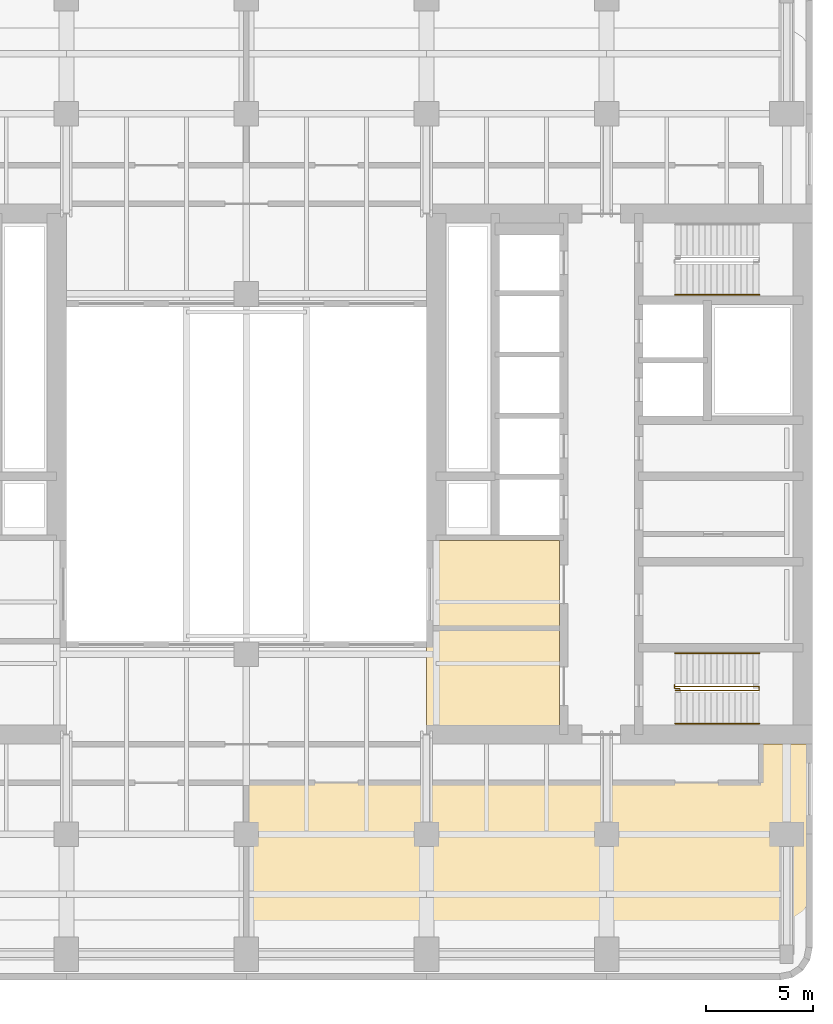
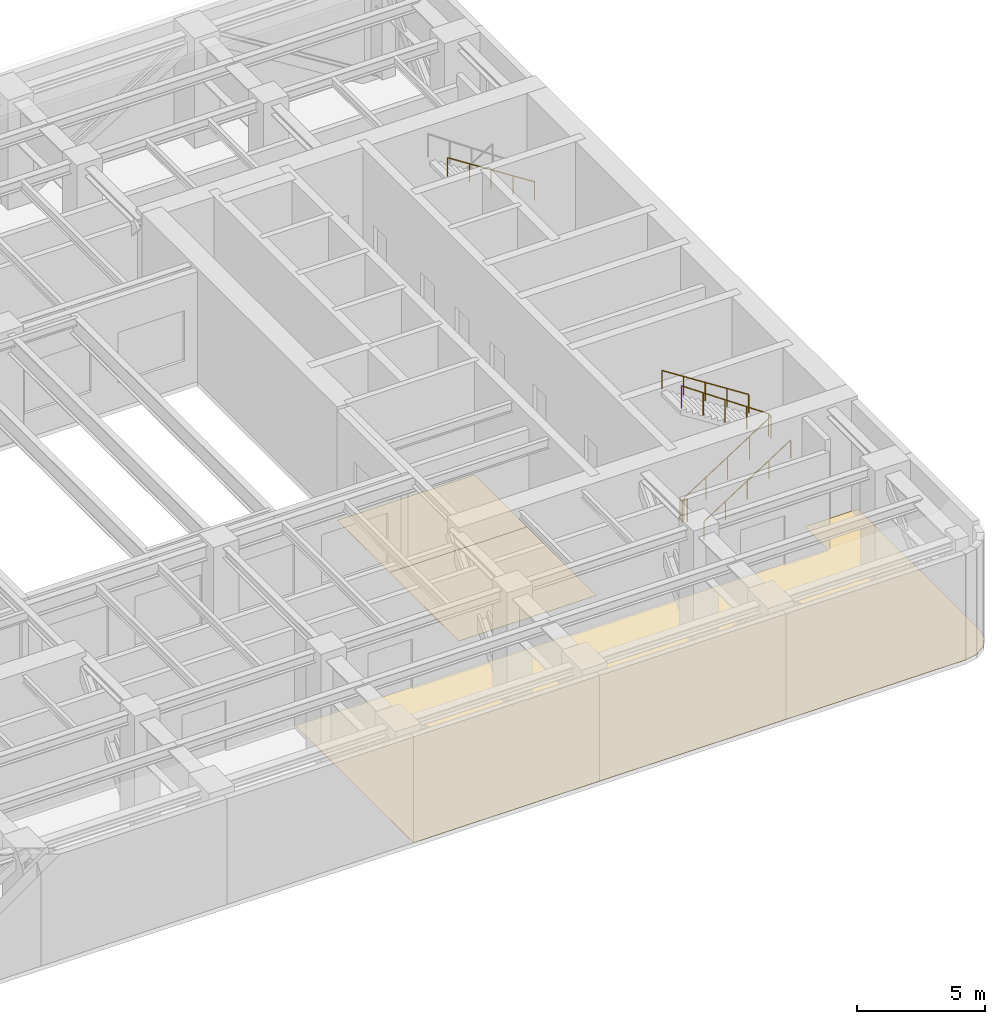
# One storey, part 9 of 10: 5 railings, 3 coverings.
"""IFC4 building model written with IfcOpenShell, lengths in metres."""

from ifc_helpers import new_model, si_unit, direction, frame, origin, origin_2d, place, context, subcontext, project, spatial, polyline, circle, outline, extrude, material, layer, layer_set, type_object, element, save


model = new_model("IFC4")

# Units and contexts
model_context = context("Model", 3, precision=1e-05, world=origin(), true_north=direction((0.0, 1.0)))
body_context = subcontext(model_context, "Body", "Model", "MODEL_VIEW")
ifc_project = project(units=[si_unit("LENGTHUNIT", "METRE"), si_unit("AREAUNIT", "SQUARE_METRE"), si_unit("VOLUMEUNIT", "CUBIC_METRE"), si_unit("PLANEANGLEUNIT", "RADIAN"), si_unit("MASSUNIT", "GRAM", prefix="KILO")], contexts=[model_context])

# Site, building, storey
site_placement = place(None, origin())
site = spatial("IfcSite", under=ifc_project, at=site_placement, CompositionType="ELEMENT")
building_placement = place(site_placement, origin())
building = spatial("IfcBuilding", under=site, at=building_placement, Name="Claustro Exchange Tower", CompositionType="ELEMENT")
storey_placement = place(building_placement, frame((0.0, 0.0, 168.0)))
storey = spatial("IfcBuildingStorey", under=building, at=storey_placement, Name="L38", CompositionType="ELEMENT", Elevation=168.0)

# Coverings
ifc_material_1 = material(Name="Epoxy resin floor finish", Category="resin")
ifc_layer = layer(ifc_material_1, 0.006103515625)
ifc_layer_set = layer_set([ifc_layer], Name="Epoxy resin floor finish")
covering_type = type_object("IfcCoveringType", Name="FL2 resin plant room floor", PredefinedType="FLOORING", material=ifc_layer_set)
covering_1_placement = place(storey_placement, origin())
element("IfcCovering", 1, at=covering_1_placement, inside=storey, type_object=covering_type, Name="Resin floor FL2 L38-02", PredefinedType="FLOORING", context=body_context, shape_type="SweptSolid", body=[
    extrude(outline(polyline([(51.60009765625, 12.60009765625), (49.199951171875, 12.60009765625), (49.199951171875, 10.800048828125), (25.199951171875, 10.800048828125), (25.199951171875, 1.60009765625), (50.10009765625, 1.60009765625), (50.674072265625, 1.714111328125), (51.16064453125, 2.039306640625), (51.48583984375, 2.52587890625), (51.60009765625, 3.10009765625), (51.60009765625, 12.60009765625)])), origin(), (0.0, 0.0, 1.0), 0.006103515625),
])
covering_2_placement = place(storey_placement, origin())
element("IfcCovering", 2, at=covering_2_placement, inside=storey, type_object=covering_type, Name="Resin floor FL2 L38-05", PredefinedType="FLOORING", context=body_context, shape_type="SweptSolid", body=[
    extrude(outline(polyline([(39.800048828125, 18.0), (33.60009765625, 18.0), (33.60009765625, 17.39990234375), (33.60009765625, 12.60009765625), (39.800048828125, 12.60009765625), (39.800048828125, 18.0)])), origin(), (0.0, 0.0, 1.0), 0.006103515625),
])
covering_3_placement = place(storey_placement, origin())
element("IfcCovering", 3, at=covering_3_placement, inside=storey, type_object=covering_type, Name="Resin floor FL2 L38-07", PredefinedType="FLOORING", context=body_context, shape_type="SweptSolid", body=[
    extrude(outline(polyline([(39.800048828125, 18.0), (39.800048828125, 22.10009765625), (33.60009765625, 22.10009765625), (33.60009765625, 18.0), (39.800048828125, 18.0)])), origin(), (0.0, 0.0, 1.0), 0.006103515625),
])

# Railings
ifc_material_2 = material(Name="Steel balustrade, painted", Category="steel")
railing_type_1 = type_object("IfcRailingType", Name="GR2 1100 steel stair guard", PredefinedType="GUARDRAIL", material=ifc_material_2)
railing_1_placement = place(storey_placement, frame((45.199951171875, 15.10009765625, 0.179931640625)))
element("IfcRailing", 4, at=railing_1_placement, inside=storey, type_object=railing_type_1, Name="Stair well guard GR2 stair STEA L38", PredefinedType="GUARDRAIL", context=body_context, shape_type="SweptSolid", body=[
    extrude(circle(Radius=0.02392578125, at=origin_2d()), frame((0.0, 0.0, 1.076171875), z_axis=(0.841186985886, 0.0, 0.540744352514), x_axis=(0.0, 1.0, 0.0)), (0.0, 0.0, 1.0), 4.660400390625),
    extrude(circle(Radius=0.02392578125, at=origin_2d()), frame((3.920166015625, 0.0, 3.59619140625), z_axis=(0.0, 1.0, 0.0), x_axis=(-1.0, 0.0, 0.0)), (0.0, 0.0, 1.0), 0.199951171875),
    extrude(circle(Radius=0.02392578125, at=origin_2d()), frame((3.920166015625, 0.199951171875, 3.59619140625), z_axis=(-0.823567234665, 0.0, 0.567218661528), x_axis=(0.0, -1.0, 0.0)), (0.0, 0.0, 1.0), 4.760009765625),
    extrude(circle(Radius=0.02099609375, at=origin_2d()), origin(), (0.0, 0.0, 1.0), 1.052001953125),
    extrude(circle(Radius=0.02099609375, at=origin_2d()), frame((0.97998046875, 0.0, 0.6298828125)), (0.0, 0.0, 1.0), 1.052001953125),
    extrude(circle(Radius=0.02099609375, at=origin_2d()), frame((1.9599609375, 0.0, 1.260009765625)), (0.0, 0.0, 1.0), 1.052001953125),
    extrude(circle(Radius=0.02099609375, at=origin_2d()), frame((2.940185546875, 0.0, 1.89013671875)), (0.0, 0.0, 1.0), 1.052001953125),
    extrude(circle(Radius=0.02099609375, at=origin_2d()), frame((3.920166015625, 0.0, 2.52001953125)), (0.0, 0.0, 1.0), 1.052001953125),
    extrude(circle(Radius=0.02099609375, at=origin_2d()), frame((3.920166015625, 0.199951171875, 2.52001953125)), (0.0, 0.0, 1.0), 1.052001953125),
    extrude(circle(Radius=0.02099609375, at=origin_2d()), frame((2.940185546875, 0.199951171875, 3.195068359375)), (0.0, 0.0, 1.0), 1.052001953125),
    extrude(circle(Radius=0.02099609375, at=origin_2d()), frame((1.9599609375, 0.199951171875, 3.8701171875)), (0.0, 0.0, 1.0), 1.052001953125),
    extrude(circle(Radius=0.02099609375, at=origin_2d()), frame((0.97998046875, 0.199951171875, 4.544921875)), (0.0, 0.0, 1.0), 1.052001953125),
    extrude(circle(Radius=0.02099609375, at=origin_2d()), frame((0.0, 0.199951171875, 5.219970703125)), (0.0, 0.0, 1.0), 1.052001953125),
])
railing_2_placement = place(storey_placement, frame((45.39990234375, 15.169921875, 0.0)))
element("IfcRailing", 5, at=railing_2_placement, inside=storey, type_object=railing_type_1, Name="Stair guard GR2 STEA L38", PredefinedType="GUARDRAIL", context=body_context, shape_type="SweptSolid", body=[
    extrude(circle(Radius=0.02392578125, at=origin_2d()), frame((0.0, 0.0, 1.076171875), z_axis=(0.0, 1.0, 0.0), x_axis=(-1.0, 0.0, 0.0)), (0.0, 0.0, 1.0), 0.030029296875),
    extrude(circle(Radius=0.02392578125, at=origin_2d()), frame((0.0, 0.030029296875, 1.076171875), z_axis=(-1.0, 0.0, 0.0), x_axis=(0.0, -1.0, 0.0)), (0.0, 0.0, 1.0), 0.224853515625),
    extrude(circle(Radius=0.02392578125, at=origin_2d()), frame((-0.224853515625, 0.030029296875, 1.076171875), z_axis=(0.0, 1.0, 0.0), x_axis=(-1.0, 0.0, 0.0)), (0.0, 0.0, 1.0), 0.179931640625),
    extrude(circle(Radius=0.02099609375, at=origin_2d()), origin(), (0.0, 0.0, 1.0), 1.052001953125),
    extrude(circle(Radius=0.02099609375, at=origin_2d()), frame((0.0, 0.030029296875, 0.0)), (0.0, 0.0, 1.0), 1.052001953125),
    extrude(circle(Radius=0.02099609375, at=origin_2d()), frame((-0.224853515625, 0.030029296875, 0.0)), (0.0, 0.0, 1.0), 1.052001953125),
    extrude(circle(Radius=0.02099609375, at=origin_2d()), frame((-0.224853515625, 0.2099609375, 0.0)), (0.0, 0.0, 1.0), 1.052001953125),
])
ifc_material_3 = material(Name="Stainless steel tube", Category="steel")
railing_type_2 = type_object("IfcRailingType", Name="HR1 900 stair handrail", PredefinedType="HANDRAIL", material=ifc_material_3)
railing_3_placement = place(storey_placement, frame((45.199951171875, 13.56005859375, 0.179931640625)))
element("IfcRailing", 6, at=railing_3_placement, inside=storey, type_object=railing_type_2, Name="Handrail HR1 stair STEA L38", PredefinedType="HANDRAIL", context=body_context, shape_type="SweptSolid", body=[
    extrude(circle(Radius=0.02392578125, at=origin_2d()), frame((0.0, 0.0, 0.8759765625), z_axis=(0.841186985886, 0.0, 0.540744352514), x_axis=(0.0, 1.0, 0.0)), (0.0, 0.0, 1.0), 4.660400390625),
    extrude(circle(Radius=0.02099609375, at=origin_2d()), origin(), (0.0, 0.0, 1.0), 0.851806640625),
    extrude(circle(Radius=0.02099609375, at=origin_2d()), frame((0.97998046875, 0.0, 0.6298828125)), (0.0, 0.0, 1.0), 0.851806640625),
    extrude(circle(Radius=0.02099609375, at=origin_2d()), frame((1.9599609375, 0.0, 1.260009765625)), (0.0, 0.0, 1.0), 0.851806640625),
    extrude(circle(Radius=0.02099609375, at=origin_2d()), frame((2.940185546875, 0.0, 1.89013671875)), (0.0, 0.0, 1.0), 0.851806640625),
    extrude(circle(Radius=0.02099609375, at=origin_2d()), frame((3.920166015625, 0.0, 2.52001953125)), (0.0, 0.0, 1.0), 0.851806640625),
])
for number, where, name in (
    (7, (49.1201171875, 16.840087890625, 2.8798828125), "Handrail HR1 stair STEA L38"),
    (8, (49.1201171875, 33.56005859375, 2.8798828125), "Handrail HR1 stair STEB L38"),
):
    element("IfcRailing", number, at=place(storey_placement, frame(where)), inside=storey, type_object=railing_type_2, Name=name, PredefinedType="HANDRAIL", context=body_context, shape_type="SweptSolid", body=[
        extrude(circle(Radius=0.02392578125, at=origin_2d()), frame((0.0, 0.0, 0.8759765625), z_axis=(-0.841186985886, 0.0, 0.540744352514), x_axis=(0.0, -1.0, 0.0)), (0.0, 0.0, 1.0), 4.660400390625),
        extrude(circle(Radius=0.02099609375, at=origin_2d()), origin(), (0.0, 0.0, 1.0), 0.851806640625),
        extrude(circle(Radius=0.02099609375, at=origin_2d()), frame((-0.97998046875, 0.0, 0.6298828125)), (0.0, 0.0, 1.0), 0.851806640625),
        extrude(circle(Radius=0.02099609375, at=origin_2d()), frame((-1.9599609375, 0.0, 1.260009765625)), (0.0, 0.0, 1.0), 0.851806640625),
        extrude(circle(Radius=0.02099609375, at=origin_2d()), frame((-2.940185546875, 0.0, 1.89013671875)), (0.0, 0.0, 1.0), 0.851806640625),
        extrude(circle(Radius=0.02099609375, at=origin_2d()), frame((-3.920166015625, 0.0, 2.52001953125)), (0.0, 0.0, 1.0), 0.851806640625),
    ])

save(model, "model.ifc")
